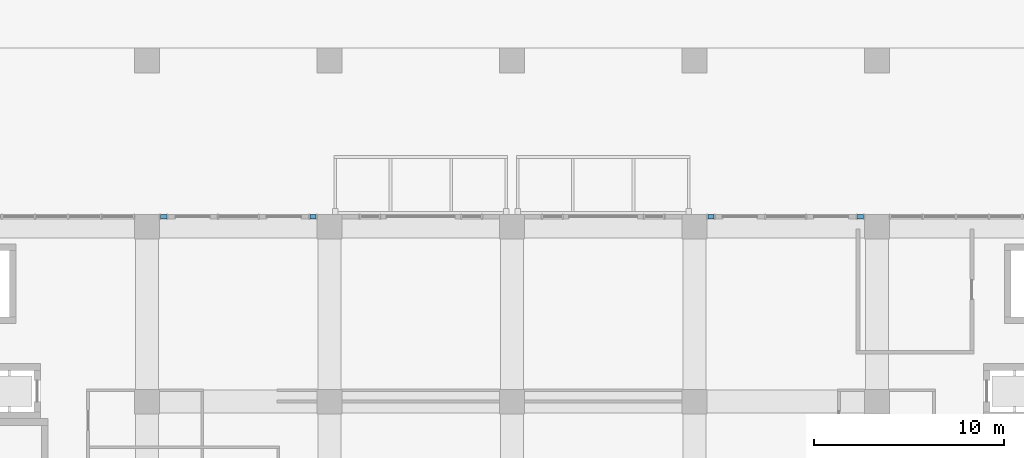
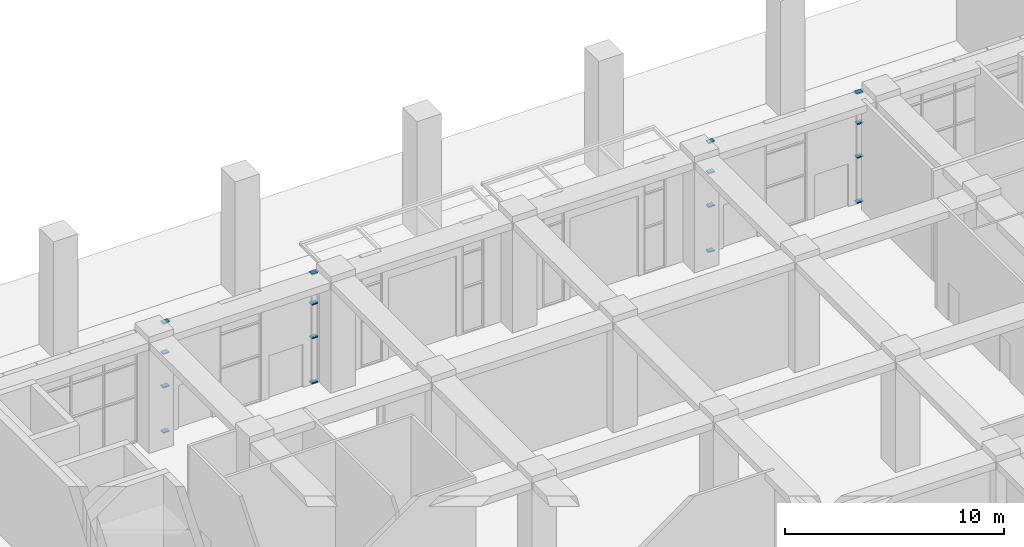
# One storey, part 11 of 45: 16 members, 4 elements without a shape of their own.
"""IFC4 building model written with IfcOpenShell, lengths in metres."""

from ifc_helpers import new_model, si_unit, direction, frame, origin, origin_2d, place, context, subcontext, project, spatial, hollow_rectangle, extrude, material, layer, layer_set, material_profile, profile_set, type_object, element, aggregate, save


model = new_model("IFC4")

# Units and contexts
model_context = context("Model", 3, precision=1e-05, world=origin(), true_north=direction((0.0, 1.0)))
body_context = subcontext(model_context, "Body", "Model", "MODEL_VIEW")
ifc_project = project(units=[si_unit("LENGTHUNIT", "METRE"), si_unit("AREAUNIT", "SQUARE_METRE"), si_unit("VOLUMEUNIT", "CUBIC_METRE"), si_unit("PLANEANGLEUNIT", "RADIAN"), si_unit("MASSUNIT", "GRAM", prefix="KILO")], contexts=[model_context])

# Site, building, storey
site_placement = place(None, origin())
site = spatial("IfcSite", under=ifc_project, at=site_placement, CompositionType="ELEMENT")
building_placement = place(site_placement, origin())
building = spatial("IfcBuilding", under=site, at=building_placement, Name="Nzadi Deep Aquarium and Research Tower", CompositionType="ELEMENT")
storey_placement = place(building_placement, origin())
storey = spatial("IfcBuildingStorey", under=building, at=storey_placement, Name="G", CompositionType="ELEMENT", Elevation=0.0)

# Curtain wall, members
ifc_material_1 = material(Name="Aluminium stick frame", Category="aluminium")
ifc_layer = layer(ifc_material_1, 0.25)
ifc_layer_set = layer_set([ifc_layer], Name="Aluminium stick frame")
curtain_wall_type = type_object("IfcCurtainWallType", Name="Curtain wall Stick 250", PredefinedType="NOTDEFINED", material=ifc_layer_set)
curtain_wall_1_placement = place(storey_placement, origin())
curtain_wall_1 = element("IfcCurtainWall", 1, at=curtain_wall_1_placement, inside=storey, type_object=curtain_wall_type, Name="Lobby stick glazing G", PredefinedType="NOTDEFINED")
ifc_material_2 = material(Name="Aluminium stick frame", Category="aluminium")
ifc_material_profile = material_profile(ifc_material_2, hollow_rectangle(XDim=0.25, YDim=0.06005859375, WallThickness=0.0048828125, at=origin_2d()))
ifc_profile_set = profile_set([ifc_material_profile], Name="Aluminium stick frame")
member_type = type_object("IfcMemberType", Name="Transom 60x250 Stick", PredefinedType="MULLION", material=ifc_profile_set)
member_1_placement = place(storey_placement, frame((10.31005859375, 132.125, 0.030029296875), z_axis=(1.0, 0.0, 0.0), x_axis=(0.0, 1.0, 0.0)))
member_1 = element("IfcMember", 2, at=member_1_placement, type_object=member_type, Name="CW227 transom 1.1", PredefinedType="MULLION", context=body_context, shape_type="SweptSolid", body=[
    extrude(hollow_rectangle(XDim=0.25, YDim=0.06005859375, WallThickness=0.0048828125, at=origin_2d()), origin(), (0.0, 0.0, 1.0), 0.329833984375),
])
member_2_placement = place(storey_placement, frame((10.31005859375, 132.125, 2.550048828125), z_axis=(1.0, 0.0, 0.0), x_axis=(0.0, 1.0, 0.0)))
member_2 = element("IfcMember", 3, at=member_2_placement, type_object=member_type, Name="CW227 transom 1.2", PredefinedType="MULLION", context=body_context, shape_type="SweptSolid", body=[
    extrude(hollow_rectangle(XDim=0.25, YDim=0.06005859375, WallThickness=0.0048828125, at=origin_2d()), origin(), (0.0, 0.0, 1.0), 0.329833984375),
])
member_3_placement = place(storey_placement, frame((10.31005859375, 132.125, 4.427978515625), z_axis=(1.0, 0.0, 0.0), x_axis=(0.0, 1.0, 0.0)))
member_3 = element("IfcMember", 4, at=member_3_placement, type_object=member_type, Name="CW227 transom 1.3", PredefinedType="MULLION", context=body_context, shape_type="SweptSolid", body=[
    extrude(hollow_rectangle(XDim=0.25, YDim=0.06005859375, WallThickness=0.0048828125, at=origin_2d()), origin(), (0.0, 0.0, 1.0), 0.329833984375),
])
member_4_placement = place(storey_placement, frame((10.31005859375, 132.125, 6.1201171875), z_axis=(1.0, 0.0, 0.0), x_axis=(0.0, 1.0, 0.0)))
member_4 = element("IfcMember", 5, at=member_4_placement, type_object=member_type, Name="CW227 transom 1.4", PredefinedType="MULLION", context=body_context, shape_type="SweptSolid", body=[
    extrude(hollow_rectangle(XDim=0.25, YDim=0.06005859375, WallThickness=0.0048828125, at=origin_2d()), origin(), (0.0, 0.0, 1.0), 0.329833984375),
])
aggregate(curtain_wall_1, [member_1, member_2, member_3, member_4])

curtain_wall_2_placement = place(storey_placement, origin())
curtain_wall_2 = element("IfcCurtainWall", 6, at=curtain_wall_2_placement, inside=storey, type_object=curtain_wall_type, Name="Lobby stick glazing G", PredefinedType="NOTDEFINED")
member_5_placement = place(storey_placement, frame((18.159912109375, 132.125, 0.030029296875), z_axis=(1.0, 0.0, 0.0), x_axis=(0.0, 1.0, 0.0)))
member_5 = element("IfcMember", 7, at=member_5_placement, type_object=member_type, Name="CW229 transom 1.1", PredefinedType="MULLION", context=body_context, shape_type="SweptSolid", body=[
    extrude(hollow_rectangle(XDim=0.25, YDim=0.06005859375, WallThickness=0.0048828125, at=origin_2d()), origin(), (0.0, 0.0, 1.0), 0.330078125),
])
member_6_placement = place(storey_placement, frame((18.159912109375, 132.125, 2.550048828125), z_axis=(1.0, 0.0, 0.0), x_axis=(0.0, 1.0, 0.0)))
member_6 = element("IfcMember", 8, at=member_6_placement, type_object=member_type, Name="CW229 transom 1.2", PredefinedType="MULLION", context=body_context, shape_type="SweptSolid", body=[
    extrude(hollow_rectangle(XDim=0.25, YDim=0.06005859375, WallThickness=0.0048828125, at=origin_2d()), origin(), (0.0, 0.0, 1.0), 0.330078125),
])
member_7_placement = place(storey_placement, frame((18.159912109375, 132.125, 4.427978515625), z_axis=(1.0, 0.0, 0.0), x_axis=(0.0, 1.0, 0.0)))
member_7 = element("IfcMember", 9, at=member_7_placement, type_object=member_type, Name="CW229 transom 1.3", PredefinedType="MULLION", context=body_context, shape_type="SweptSolid", body=[
    extrude(hollow_rectangle(XDim=0.25, YDim=0.06005859375, WallThickness=0.0048828125, at=origin_2d()), origin(), (0.0, 0.0, 1.0), 0.330078125),
])
member_8_placement = place(storey_placement, frame((18.159912109375, 132.125, 6.1201171875), z_axis=(1.0, 0.0, 0.0), x_axis=(0.0, 1.0, 0.0)))
member_8 = element("IfcMember", 10, at=member_8_placement, type_object=member_type, Name="CW229 transom 1.4", PredefinedType="MULLION", context=body_context, shape_type="SweptSolid", body=[
    extrude(hollow_rectangle(XDim=0.25, YDim=0.06005859375, WallThickness=0.0048828125, at=origin_2d()), origin(), (0.0, 0.0, 1.0), 0.330078125),
])
aggregate(curtain_wall_2, [member_5, member_6, member_7, member_8])

curtain_wall_3_placement = place(storey_placement, origin())
curtain_wall_3 = element("IfcCurtainWall", 11, at=curtain_wall_3_placement, inside=storey, type_object=curtain_wall_type, Name="Lobby stick glazing G", PredefinedType="NOTDEFINED")
member_9_placement = place(storey_placement, frame((39.110107421875, 132.125, 0.030029296875), z_axis=(1.0, 0.0, 0.0), x_axis=(0.0, 1.0, 0.0)))
member_9 = element("IfcMember", 12, at=member_9_placement, type_object=member_type, Name="CW241 transom 1.1", PredefinedType="MULLION", context=body_context, shape_type="SweptSolid", body=[
    extrude(hollow_rectangle(XDim=0.25, YDim=0.06005859375, WallThickness=0.0048828125, at=origin_2d()), origin(), (0.0, 0.0, 1.0), 0.329833984375),
])
member_10_placement = place(storey_placement, frame((39.110107421875, 132.125, 2.550048828125), z_axis=(1.0, 0.0, 0.0), x_axis=(0.0, 1.0, 0.0)))
member_10 = element("IfcMember", 13, at=member_10_placement, type_object=member_type, Name="CW241 transom 1.2", PredefinedType="MULLION", context=body_context, shape_type="SweptSolid", body=[
    extrude(hollow_rectangle(XDim=0.25, YDim=0.06005859375, WallThickness=0.0048828125, at=origin_2d()), origin(), (0.0, 0.0, 1.0), 0.329833984375),
])
member_11_placement = place(storey_placement, frame((39.110107421875, 132.125, 4.427978515625), z_axis=(1.0, 0.0, 0.0), x_axis=(0.0, 1.0, 0.0)))
member_11 = element("IfcMember", 14, at=member_11_placement, type_object=member_type, Name="CW241 transom 1.3", PredefinedType="MULLION", context=body_context, shape_type="SweptSolid", body=[
    extrude(hollow_rectangle(XDim=0.25, YDim=0.06005859375, WallThickness=0.0048828125, at=origin_2d()), origin(), (0.0, 0.0, 1.0), 0.329833984375),
])
member_12_placement = place(storey_placement, frame((39.110107421875, 132.125, 6.1201171875), z_axis=(1.0, 0.0, 0.0), x_axis=(0.0, 1.0, 0.0)))
member_12 = element("IfcMember", 15, at=member_12_placement, type_object=member_type, Name="CW241 transom 1.4", PredefinedType="MULLION", context=body_context, shape_type="SweptSolid", body=[
    extrude(hollow_rectangle(XDim=0.25, YDim=0.06005859375, WallThickness=0.0048828125, at=origin_2d()), origin(), (0.0, 0.0, 1.0), 0.329833984375),
])
aggregate(curtain_wall_3, [member_9, member_10, member_11, member_12])

curtain_wall_4_placement = place(storey_placement, origin())
curtain_wall_4 = element("IfcCurtainWall", 16, at=curtain_wall_4_placement, inside=storey, type_object=curtain_wall_type, Name="Lobby stick glazing G", PredefinedType="NOTDEFINED")
member_13_placement = place(storey_placement, frame((46.9599609375, 132.125, 0.030029296875), z_axis=(1.0, 0.0, 0.0), x_axis=(0.0, 1.0, 0.0)))
member_13 = element("IfcMember", 17, at=member_13_placement, type_object=member_type, Name="CW243 transom 1.1", PredefinedType="MULLION", context=body_context, shape_type="SweptSolid", body=[
    extrude(hollow_rectangle(XDim=0.25, YDim=0.06005859375, WallThickness=0.0048828125, at=origin_2d()), origin(), (0.0, 0.0, 1.0), 0.330078125),
])
member_14_placement = place(storey_placement, frame((46.9599609375, 132.125, 2.550048828125), z_axis=(1.0, 0.0, 0.0), x_axis=(0.0, 1.0, 0.0)))
member_14 = element("IfcMember", 18, at=member_14_placement, type_object=member_type, Name="CW243 transom 1.2", PredefinedType="MULLION", context=body_context, shape_type="SweptSolid", body=[
    extrude(hollow_rectangle(XDim=0.25, YDim=0.06005859375, WallThickness=0.0048828125, at=origin_2d()), origin(), (0.0, 0.0, 1.0), 0.330078125),
])
member_15_placement = place(storey_placement, frame((46.9599609375, 132.125, 4.427978515625), z_axis=(1.0, 0.0, 0.0), x_axis=(0.0, 1.0, 0.0)))
member_15 = element("IfcMember", 19, at=member_15_placement, type_object=member_type, Name="CW243 transom 1.3", PredefinedType="MULLION", context=body_context, shape_type="SweptSolid", body=[
    extrude(hollow_rectangle(XDim=0.25, YDim=0.06005859375, WallThickness=0.0048828125, at=origin_2d()), origin(), (0.0, 0.0, 1.0), 0.330078125),
])
member_16_placement = place(storey_placement, frame((46.9599609375, 132.125, 6.1201171875), z_axis=(1.0, 0.0, 0.0), x_axis=(0.0, 1.0, 0.0)))
member_16 = element("IfcMember", 20, at=member_16_placement, type_object=member_type, Name="CW243 transom 1.4", PredefinedType="MULLION", context=body_context, shape_type="SweptSolid", body=[
    extrude(hollow_rectangle(XDim=0.25, YDim=0.06005859375, WallThickness=0.0048828125, at=origin_2d()), origin(), (0.0, 0.0, 1.0), 0.330078125),
])
aggregate(curtain_wall_4, [member_13, member_14, member_15, member_16])

save(model, "model.ifc")
